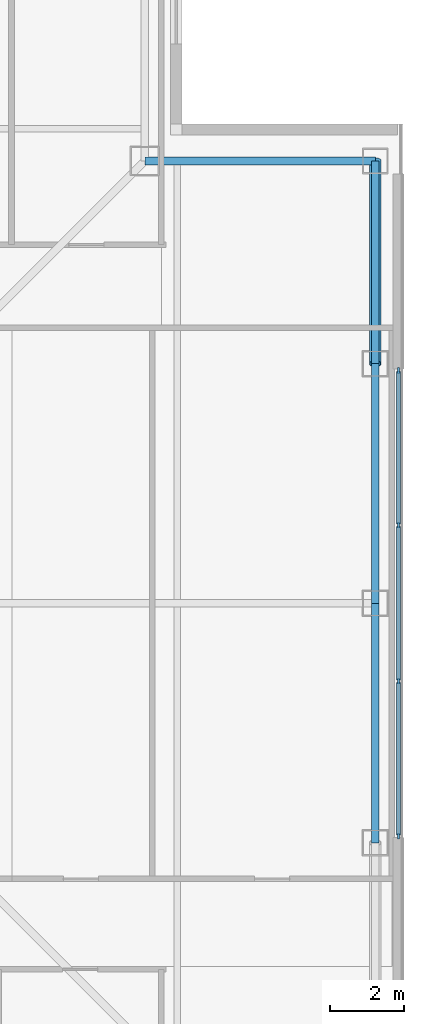
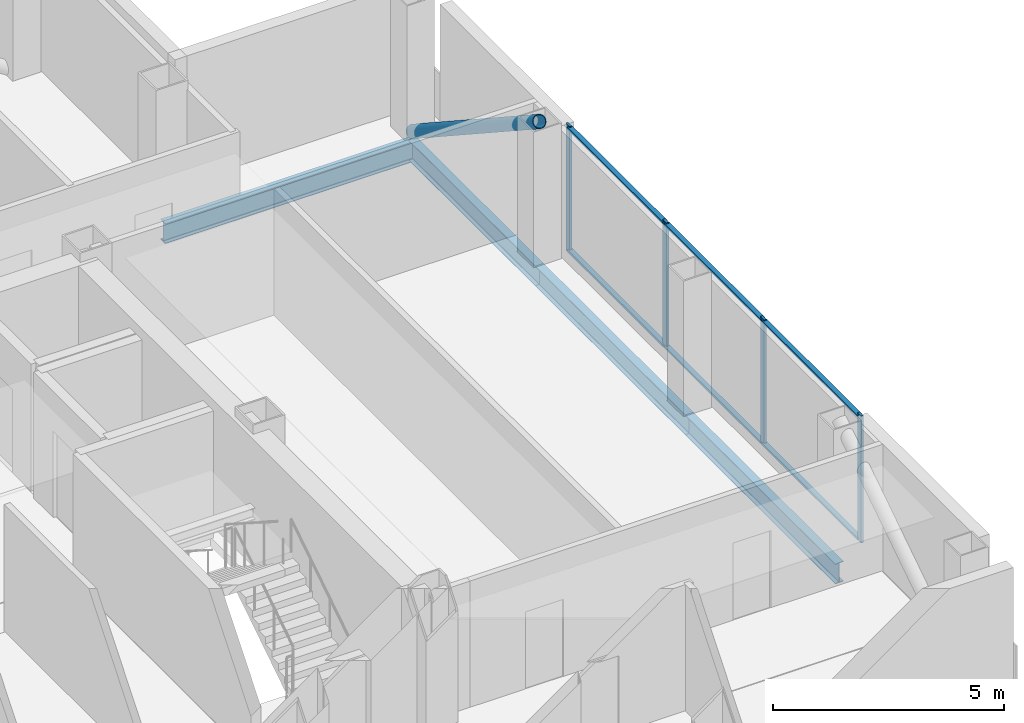
# One storey, part 6 of 16: 11 members, 4 beams, 1 element without a shape of its own.
"""IFC4 building model written with IfcOpenShell, lengths in metres."""

from ifc_helpers import new_model, si_unit, direction, frame, origin, origin_2d, place, context, subcontext, project, spatial, rectangle, hollow_circle, i_section, extrude, material, layer, layer_set, material_profile, profile_set, type_object, element, aggregate, save


model = new_model("IFC4")

# Units and contexts
model_context = context("Model", 3, precision=1e-05, world=origin(), true_north=direction((0.0, 1.0)))
body_context = subcontext(model_context, "Body", "Model", "MODEL_VIEW")
ifc_project = project(units=[si_unit("LENGTHUNIT", "METRE"), si_unit("AREAUNIT", "SQUARE_METRE"), si_unit("VOLUMEUNIT", "CUBIC_METRE"), si_unit("PLANEANGLEUNIT", "RADIAN"), si_unit("MASSUNIT", "GRAM", prefix="KILO")], contexts=[model_context])

# Site, building, storey
site_placement = place(None, origin())
site = spatial("IfcSite", under=ifc_project, at=site_placement, CompositionType="ELEMENT")
building_placement = place(site_placement, origin())
building = spatial("IfcBuilding", under=site, at=building_placement, Name="Trevonay Congress Spire", CompositionType="ELEMENT")
storey_placement = place(building_placement, frame((0.0, 0.0, 236.0)))
storey = spatial("IfcBuildingStorey", under=building, at=storey_placement, Name="L61", CompositionType="ELEMENT", Elevation=236.0)

# Beams
ifc_material_1 = material(Name="Steel ASTM A572 Grade 50", Category="steel")
ifc_material_profile_1 = material_profile(ifc_material_1, i_section(OverallWidth=0.208984375, OverallDepth=0.532958984375, WebThickness=0.01025390625, FlangeThickness=0.015625, FilletRadius=0.014892578125, at=origin_2d()), Name="W530x92")
ifc_profile_set_1 = profile_set([ifc_material_profile_1], Name="Steel ASTM A572 Grade 50")
beam_type = type_object("IfcBeamType", Name="BM-RING-W530X92", PredefinedType="BEAM", material=ifc_profile_set_1)
for number, where, z_axis, x_axis, name in (
    (1, (18.25, -6.5, -0.506591796875), (0.0, 1.0, 0.0), (-1.0, 0.0, 0.0), "L61 structural beam BM-L61-PE2"),
    (2, (18.25, 0.0, -0.506591796875), (0.0, 1.0, 0.0), (-1.0, 0.0, 0.0), "L61 structural beam BM-L61-PE3"),
):
    element("IfcBeam", number, at=place(storey_placement, frame(where, z_axis=z_axis, x_axis=x_axis)), inside=storey, type_object=beam_type, Name=name, PredefinedType="BEAM", context=body_context, shape_type="SweptSolid", body=[
        extrude(i_section(OverallWidth=0.208984375, OverallDepth=0.532958984375, WebThickness=0.01025390625, FlangeThickness=0.015625, FilletRadius=0.014892578125, at=origin_2d()), origin(), (0.0, 0.0, 1.0), 6.5),
    ])
beam_1_placement = place(storey_placement, frame((18.25, 6.5, -0.506591796875), z_axis=(0.0, 1.0, 0.0), x_axis=(-1.0, 0.0, 0.0)))
element("IfcBeam", 3, at=beam_1_placement, inside=storey, type_object=beam_type, Name="L61 structural beam BM-L61-PE4", PredefinedType="BEAM", context=body_context, shape_type="SweptSolid", body=[
    extrude(i_section(OverallWidth=0.208984375, OverallDepth=0.532958984375, WebThickness=0.01025390625, FlangeThickness=0.015625, FilletRadius=0.014892578125, at=origin_2d()), origin(), (0.0, 0.0, 1.0), 5.5),
])
beam_2_placement = place(storey_placement, frame((18.25, 12.0, -0.506591796875), z_axis=(-1.0, 0.0, 0.0), x_axis=(0.0, -1.0, 0.0)))
element("IfcBeam", 4, at=beam_2_placement, inside=storey, type_object=beam_type, Name="L61 structural beam BM-L61-N2NE", PredefinedType="BEAM", context=body_context, shape_type="SweptSolid", body=[
    extrude(i_section(OverallWidth=0.208984375, OverallDepth=0.532958984375, WebThickness=0.01025390625, FlangeThickness=0.015625, FilletRadius=0.014892578125, at=origin_2d()), origin(), (0.0, 0.0, 1.0), 6.25),
])

# Curtain wall, members
ifc_material_2 = material(Name="Pale Anodised Aluminium EN AW-6063-T6", Category="aluminium")
ifc_layer = layer(ifc_material_2, 0.1650390625, Name="Pale Anodised Aluminium EN AW-6063-T6")
ifc_layer_set = layer_set([ifc_layer], Name="Pale Anodised Aluminium EN AW-6063-T6")
curtain_wall_type = type_object("IfcCurtainWallType", Name="CW-SYS05-DIPLOM-PALE-METAL", PredefinedType="NOTDEFINED", material=ifc_layer_set)
curtain_wall_placement = place(storey_placement, origin())
curtain_wall = element("IfcCurtainWall", 5, at=curtain_wall_placement, inside=storey, type_object=curtain_wall_type, Name="L61 E unitised curtain wall", PredefinedType="NOTDEFINED")
ifc_material_profile_2 = material_profile(ifc_material_2, rectangle(XDim=0.06005859375, YDim=0.159912109375, at=origin_2d()), Name="CW-MULLION-160-ALUMINIUM")
ifc_profile_set_2 = profile_set([ifc_material_profile_2], Name="Pale Anodised Aluminium EN AW-6063-T6")
member_type_1 = type_object("IfcMemberType", Name="CW-MULLION-160-ALUMINIUM", PredefinedType="MULLION", material=ifc_profile_set_2)
member_1_placement = place(storey_placement, frame((18.8798828125, -6.320068359375, 0.0), z_axis=(0.0, 0.0, 1.0), x_axis=(-1.0, 0.0, 0.0)))
member_1 = element("IfcMember", 6, at=member_1_placement, type_object=member_type_1, Name="CW05 mullion 1", PredefinedType="MULLION", context=body_context, shape_type="SweptSolid", body=[
    extrude(rectangle(XDim=0.06005859375, YDim=0.159912109375, at=origin_2d()), origin(), (0.0, 0.0, 1.0), 3.360107421875),
])
member_2_placement = place(storey_placement, frame((18.8798828125, -2.11669921875, 0.0), z_axis=(0.0, 0.0, 1.0), x_axis=(-1.0, 0.0, 0.0)))
member_2 = element("IfcMember", 7, at=member_2_placement, type_object=member_type_1, Name="CW05 mullion 2", PredefinedType="MULLION", context=body_context, shape_type="SweptSolid", body=[
    extrude(rectangle(XDim=0.06005859375, YDim=0.159912109375, at=origin_2d()), origin(), (0.0, 0.0, 1.0), 3.360107421875),
])
member_3_placement = place(storey_placement, frame((18.8798828125, 2.11669921875, 0.0), z_axis=(0.0, 0.0, 1.0), x_axis=(-1.0, 0.0, 0.0)))
member_3 = element("IfcMember", 8, at=member_3_placement, type_object=member_type_1, Name="CW05 mullion 3", PredefinedType="MULLION", context=body_context, shape_type="SweptSolid", body=[
    extrude(rectangle(XDim=0.06005859375, YDim=0.159912109375, at=origin_2d()), origin(), (0.0, 0.0, 1.0), 3.360107421875),
])
member_4_placement = place(storey_placement, frame((18.8798828125, 6.320068359375, 0.0), z_axis=(0.0, 0.0, 1.0), x_axis=(-1.0, 0.0, 0.0)))
member_4 = element("IfcMember", 9, at=member_4_placement, type_object=member_type_1, Name="CW05 mullion 4", PredefinedType="MULLION", context=body_context, shape_type="SweptSolid", body=[
    extrude(rectangle(XDim=0.06005859375, YDim=0.159912109375, at=origin_2d()), origin(), (0.0, 0.0, 1.0), 3.360107421875),
])
ifc_material_profile_3 = material_profile(ifc_material_2, rectangle(XDim=0.1201171875, YDim=0.06005859375, at=origin_2d()), Name="CW-TRANSOM-120-ALUMINIUM")
ifc_profile_set_3 = profile_set([ifc_material_profile_3], Name="Pale Anodised Aluminium EN AW-6063-T6")
member_type_2 = type_object("IfcMemberType", Name="CW-TRANSOM-120-ALUMINIUM", PredefinedType="USERDEFINED", material=ifc_profile_set_3)
member_5_placement = place(storey_placement, frame((18.8798828125, -6.2900390625, 0.06005859375), z_axis=(0.0, 1.0, 0.0), x_axis=(-1.0, 0.0, 0.0)))
member_5 = element("IfcMember", 10, at=member_5_placement, type_object=member_type_2, Name="CW05 transom 1.1", ObjectType="TRANSOM", PredefinedType="USERDEFINED", context=body_context, shape_type="SweptSolid", body=[
    extrude(rectangle(XDim=0.1201171875, YDim=0.06005859375, at=origin_2d()), origin(), (0.0, 0.0, 1.0), 4.143310546875),
])
member_6_placement = place(storey_placement, frame((18.8798828125, -6.2900390625, 3.300048828125), z_axis=(0.0, 1.0, 0.0), x_axis=(-1.0, 0.0, 0.0)))
member_6 = element("IfcMember", 11, at=member_6_placement, type_object=member_type_2, Name="CW05 transom 1.2", ObjectType="TRANSOM", PredefinedType="USERDEFINED", context=body_context, shape_type="SweptSolid", body=[
    extrude(rectangle(XDim=0.1201171875, YDim=0.06005859375, at=origin_2d()), origin(), (0.0, 0.0, 1.0), 4.143310546875),
])
member_7_placement = place(storey_placement, frame((18.8798828125, -2.086669921875, 0.06005859375), z_axis=(0.0, 1.0, 0.0), x_axis=(-1.0, 0.0, 0.0)))
member_7 = element("IfcMember", 12, at=member_7_placement, type_object=member_type_2, Name="CW05 transom 2.1", ObjectType="TRANSOM", PredefinedType="USERDEFINED", context=body_context, shape_type="SweptSolid", body=[
    extrude(rectangle(XDim=0.1201171875, YDim=0.06005859375, at=origin_2d()), origin(), (0.0, 0.0, 1.0), 4.17333984375),
])
member_8_placement = place(storey_placement, frame((18.8798828125, -2.086669921875, 3.300048828125), z_axis=(0.0, 1.0, 0.0), x_axis=(-1.0, 0.0, 0.0)))
member_8 = element("IfcMember", 13, at=member_8_placement, type_object=member_type_2, Name="CW05 transom 2.2", ObjectType="TRANSOM", PredefinedType="USERDEFINED", context=body_context, shape_type="SweptSolid", body=[
    extrude(rectangle(XDim=0.1201171875, YDim=0.06005859375, at=origin_2d()), origin(), (0.0, 0.0, 1.0), 4.17333984375),
])
member_9_placement = place(storey_placement, frame((18.8798828125, 2.146728515625, 0.06005859375), z_axis=(0.0, 1.0, 0.0), x_axis=(-1.0, 0.0, 0.0)))
member_9 = element("IfcMember", 14, at=member_9_placement, type_object=member_type_2, Name="CW05 transom 3.1", ObjectType="TRANSOM", PredefinedType="USERDEFINED", context=body_context, shape_type="SweptSolid", body=[
    extrude(rectangle(XDim=0.1201171875, YDim=0.06005859375, at=origin_2d()), origin(), (0.0, 0.0, 1.0), 4.143310546875),
])
member_10_placement = place(storey_placement, frame((18.8798828125, 2.146728515625, 3.300048828125), z_axis=(0.0, 1.0, 0.0), x_axis=(-1.0, 0.0, 0.0)))
member_10 = element("IfcMember", 15, at=member_10_placement, type_object=member_type_2, Name="CW05 transom 3.2", ObjectType="TRANSOM", PredefinedType="USERDEFINED", context=body_context, shape_type="SweptSolid", body=[
    extrude(rectangle(XDim=0.1201171875, YDim=0.06005859375, at=origin_2d()), origin(), (0.0, 0.0, 1.0), 4.143310546875),
])
aggregate(curtain_wall, [member_1, member_2, member_3, member_4, member_5, member_6, member_7, member_8, member_9, member_10])

# Member
ifc_material_3 = material(Name="Steel ASTM A500 Grade C", Category="steel")
ifc_material_profile_4 = material_profile(ifc_material_3, hollow_circle(Radius=0.161865234375, WallThickness=0.01611328125, at=origin_2d()), Name="CHS 323.9x16")
ifc_profile_set_4 = profile_set([ifc_material_profile_4], Name="Steel ASTM A500 Grade C")
member_type_3 = type_object("IfcMemberType", Name="MBR-TUBE-CHS324", PredefinedType="BRACE", material=ifc_profile_set_4)
member_11_placement = place(storey_placement, frame((18.25, 12.0, -0.050048828125), z_axis=(0.0, -0.836694709366, 0.547669574943), x_axis=(1.0, 0.0, 0.0)))
element("IfcMember", 16, at=member_11_placement, inside=storey, type_object=member_type_3, Name="L61 perimeter braced-tube diagonal E3", PredefinedType="BRACE", context=body_context, shape_type="SweptSolid", body=[
    extrude(hollow_circle(Radius=0.161865234375, WallThickness=0.01611328125, at=origin_2d()), origin(), (0.0, 0.0, 1.0), 6.573486328125),
])

save(model, "model.ifc")
